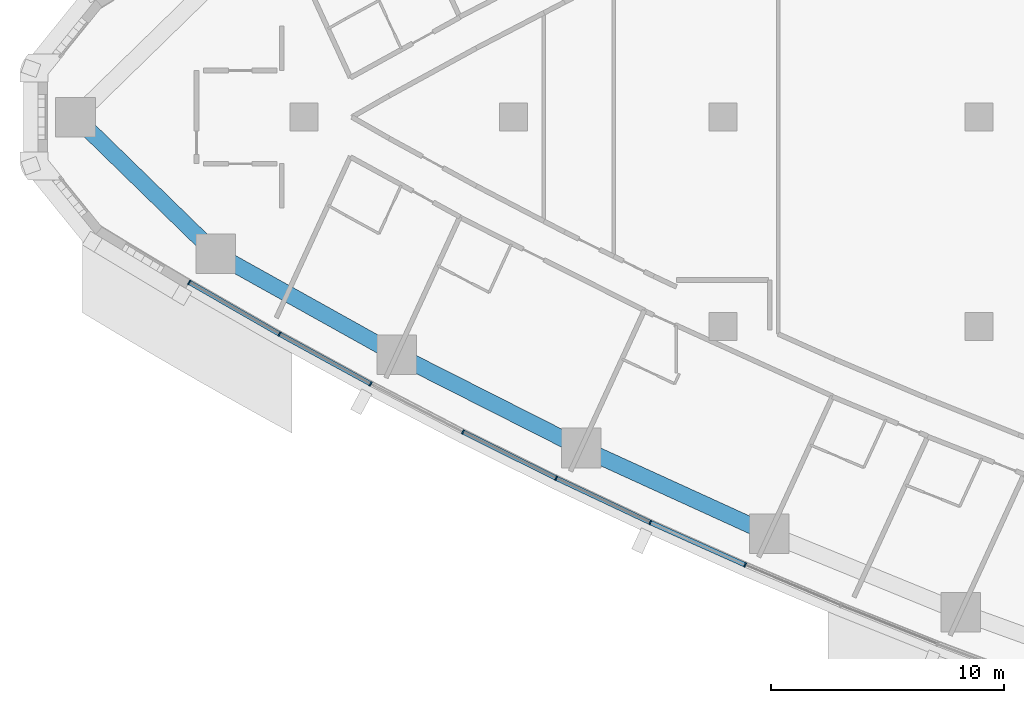
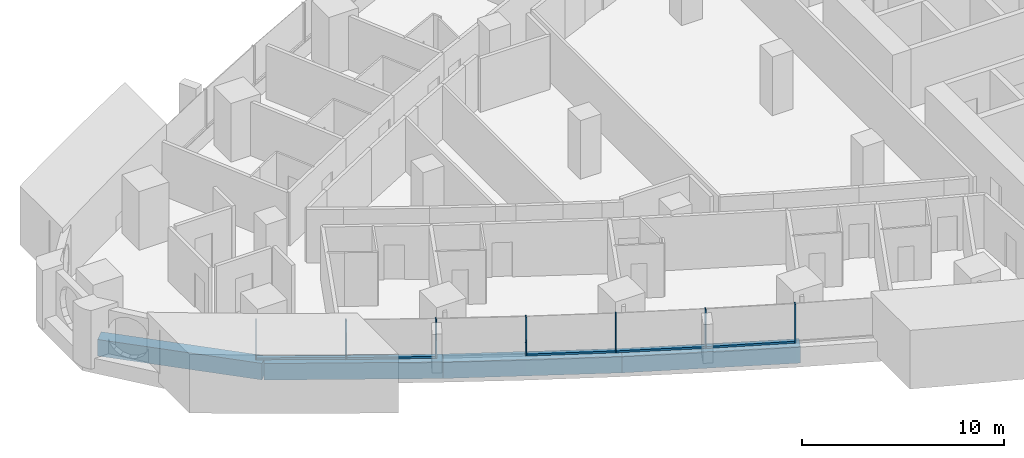
# One storey, part 2 of 17: 12 members, 4 beams, 3 elements without a shape of their own.
"""IFC4 building model written with IfcOpenShell, lengths in metres."""

from ifc_helpers import new_model, si_unit, direction, frame, origin, origin_2d, place, context, subcontext, project, spatial, rectangle, extrude, material, layer, layer_set, material_profile, profile_set, type_object, element, aggregate, save


model = new_model("IFC4")

# Units and contexts
model_context = context("Model", 3, precision=1e-05, world=origin(), true_north=direction((0.0, 1.0)))
body_context = subcontext(model_context, "Body", "Model", "MODEL_VIEW")
ifc_project = project(units=[si_unit("LENGTHUNIT", "METRE"), si_unit("AREAUNIT", "SQUARE_METRE"), si_unit("VOLUMEUNIT", "CUBIC_METRE"), si_unit("PLANEANGLEUNIT", "RADIAN"), si_unit("MASSUNIT", "GRAM", prefix="KILO")], contexts=[model_context])

# Site, building, storey
site_placement = place(None, origin())
site = spatial("IfcSite", under=ifc_project, at=site_placement, CompositionType="ELEMENT")
building_placement = place(site_placement, origin())
building = spatial("IfcBuilding", under=site, at=building_placement, Name="Ostrand Prow Hotel Tower", CompositionType="ELEMENT")
storey_placement = place(building_placement, frame((0.0, 0.0, 113.300048828125)))
storey = spatial("IfcBuildingStorey", under=building, at=storey_placement, Name="L27", CompositionType="ELEMENT", Elevation=113.300048828125)

# Beams
ifc_material_1 = material(Name="Concrete C80/95", Category="concrete")
ifc_material_profile_1 = material_profile(ifc_material_1, rectangle(XDim=0.699951171875, YDim=1.0, at=origin_2d()), Name="RC 700x1000")
ifc_profile_set_1 = profile_set([ifc_material_profile_1], Name="Concrete C80/95")
beam_type = type_object("IfcBeamType", Name="Edge beam 700x1000 C80/95", PredefinedType="SPANDREL", material=ifc_profile_set_1)
beam_1_placement = place(storey_placement, frame((6.193115234375, 0.0, -0.800048828125), z_axis=(0.716082759826, -0.698015387423, 0.0), x_axis=(0.698015387423, 0.716082759826, 0.0)))
element("IfcBeam", 1, at=beam_1_placement, inside=storey, type_object=beam_type, Name="Edge beam P-S1", PredefinedType="SPANDREL", context=body_context, shape_type="SweptSolid", body=[
    extrude(rectangle(XDim=0.699951171875, YDim=1.0, at=origin_2d()), origin(), (0.0, 0.0, 1.0), 8.41845703125),
])
beam_2_placement = place(storey_placement, frame((12.221435546875, -5.876220703125, -0.800048828125), z_axis=(0.873452439955, -0.486909473245, 0.0), x_axis=(0.486909473245, 0.873452439955, 0.0)))
element("IfcBeam", 2, at=beam_2_placement, inside=storey, type_object=beam_type, Name="Edge beam S1-S2", PredefinedType="SPANDREL", context=body_context, shape_type="SweptSolid", body=[
    extrude(rectangle(XDim=0.699951171875, YDim=1.0, at=origin_2d()), origin(), (0.0, 0.0, 1.0), 8.883544921875),
])
beam_3_placement = place(storey_placement, frame((19.980712890625, -10.20166015625, -0.800048828125), z_axis=(0.892284288592, -0.451473973039, 0.0), x_axis=(0.451473973039, 0.892284288592, 0.0)))
element("IfcBeam", 3, at=beam_3_placement, inside=storey, type_object=beam_type, Name="Edge beam S2-S3", PredefinedType="SPANDREL", context=body_context, shape_type="SweptSolid", body=[
    extrude(rectangle(XDim=0.699951171875, YDim=1.0, at=origin_2d()), origin(), (0.0, 0.0, 1.0), 8.883056640625),
])
beam_4_placement = place(storey_placement, frame((27.906982421875, -14.212158203125, -0.800048828125), z_axis=(0.909681006953, -0.415307675813, 0.0), x_axis=(0.415307675813, 0.909681006953, 0.0)))
element("IfcBeam", 4, at=beam_4_placement, inside=storey, type_object=beam_type, Name="Edge beam S3-S4", PredefinedType="SPANDREL", context=body_context, shape_type="SweptSolid", body=[
    extrude(rectangle(XDim=0.699951171875, YDim=1.0, at=origin_2d()), origin(), (0.0, 0.0, 1.0), 8.883544921875),
])

# Curtain wall, members
ifc_material_2 = material(Name="Insulated glass in bronze anodised frame", Category="glass")
ifc_layer = layer(ifc_material_2, 0.199951171875)
ifc_layer_set = layer_set([ifc_layer], Name="Insulated glass in bronze anodised frame")
curtain_wall_type = type_object("IfcCurtainWallType", Name="Strip curtain wall, fritted glass over bronze spandrel", PredefinedType="NOTDEFINED", material=ifc_layer_set)
curtain_wall_1_placement = place(storey_placement, origin())
curtain_wall_1 = element("IfcCurtainWall", 5, at=curtain_wall_1_placement, inside=storey, type_object=curtain_wall_type, Name="CW1 run CWS1", PredefinedType="NOTDEFINED")
ifc_material_3 = material(Name="Bronze anodised aluminium", Category="aluminium")
ifc_material_profile_2 = material_profile(ifc_material_3, rectangle(XDim=0.199951171875, YDim=0.06005859375, at=origin_2d()), Name="Mullion 60x200 bronze anodised aluminium")
ifc_profile_set_2 = profile_set([ifc_material_profile_2], Name="Bronze anodised aluminium")
member_type_1 = type_object("IfcMemberType", Name="Mullion 60x200 bronze anodised aluminium", PredefinedType="MULLION", material=ifc_profile_set_2)
member_1_placement = place(storey_placement, frame((11.076416015625, -7.099853515625, 0.89990234375), z_axis=(0.0, 0.0, 1.0), x_axis=(0.497114806368, 0.867684775301, 0.0)))
member_1 = element("IfcMember", 6, at=member_1_placement, type_object=member_type_1, Name="CW1 mullion 1", PredefinedType="MULLION", context=body_context, shape_type="SweptSolid", body=[
    extrude(rectangle(XDim=0.199951171875, YDim=0.06005859375, at=origin_2d()), origin(), (0.0, 0.0, 1.0), 2.35009765625),
])
member_2_placement = place(storey_placement, frame((14.951416015625, -9.320068359375, 0.89990234375), z_axis=(0.0, 0.0, 1.0), x_axis=(0.479637052103, 0.877466978439, 0.0)))
member_2 = element("IfcMember", 7, at=member_2_placement, type_object=member_type_1, Name="CW1 mullion 2", PredefinedType="MULLION", context=body_context, shape_type="SweptSolid", body=[
    extrude(rectangle(XDim=0.199951171875, YDim=0.06005859375, at=origin_2d()), origin(), (0.0, 0.0, 1.0), 2.35009765625),
])
member_3_placement = place(storey_placement, frame((18.870361328125, -11.4619140625, 0.89990234375), z_axis=(0.0, 0.0, 1.0), x_axis=(0.479637052103, 0.877466978439, 0.0)))
member_3 = element("IfcMember", 8, at=member_3_placement, type_object=member_type_1, Name="CW1 mullion 3", PredefinedType="MULLION", context=body_context, shape_type="SweptSolid", body=[
    extrude(rectangle(XDim=0.199951171875, YDim=0.06005859375, at=origin_2d()), origin(), (0.0, 0.0, 1.0), 2.35009765625),
])

curtain_wall_2_placement = place(storey_placement, origin())
curtain_wall_2 = element("IfcCurtainWall", 9, at=curtain_wall_2_placement, inside=storey, type_object=curtain_wall_type, Name="CW1 run CWS2", PredefinedType="NOTDEFINED")
member_4_placement = place(storey_placement, frame((22.831298828125, -13.525146484375, 0.89990234375), z_axis=(0.0, 0.0, 1.0), x_axis=(0.44411295748, 0.895970803653, 0.0)))
member_4 = element("IfcMember", 10, at=member_4_placement, type_object=member_type_1, Name="CW1 mullion 2", PredefinedType="MULLION", context=body_context, shape_type="SweptSolid", body=[
    extrude(rectangle(XDim=0.199951171875, YDim=0.06005859375, at=origin_2d()), origin(), (0.0, 0.0, 1.0), 2.35009765625),
])
member_5_placement = place(storey_placement, frame((26.83251953125, -15.508544921875, 0.89990234375), z_axis=(0.0, 0.0, 1.0), x_axis=(0.44411295748, 0.895970803653, 0.0)))
member_5 = element("IfcMember", 11, at=member_5_placement, type_object=member_type_1, Name="CW1 mullion 3", PredefinedType="MULLION", context=body_context, shape_type="SweptSolid", body=[
    extrude(rectangle(XDim=0.199951171875, YDim=0.06005859375, at=origin_2d()), origin(), (0.0, 0.0, 1.0), 2.35009765625),
])

curtain_wall_3_placement = place(storey_placement, origin())
curtain_wall_3 = element("IfcCurtainWall", 12, at=curtain_wall_3_placement, inside=storey, type_object=curtain_wall_type, Name="CW1 run CWS3", PredefinedType="NOTDEFINED")
member_6_placement = place(storey_placement, frame((30.872802734375, -17.41162109375, 0.89990234375), z_axis=(0.0, 0.0, 1.0), x_axis=(0.407874755419, 0.913037887435, 0.0)))
member_6 = element("IfcMember", 13, at=member_6_placement, type_object=member_type_1, Name="CW1 mullion 2", PredefinedType="MULLION", context=body_context, shape_type="SweptSolid", body=[
    extrude(rectangle(XDim=0.199951171875, YDim=0.06005859375, at=origin_2d()), origin(), (0.0, 0.0, 1.0), 2.35009765625),
])
member_7_placement = place(storey_placement, frame((34.95068359375, -19.233154296875, 0.89990234375), z_axis=(0.0, 0.0, 1.0), x_axis=(0.407874755419, 0.913037887435, 0.0)))
member_7 = element("IfcMember", 14, at=member_7_placement, type_object=member_type_1, Name="CW1 mullion 3", PredefinedType="MULLION", context=body_context, shape_type="SweptSolid", body=[
    extrude(rectangle(XDim=0.199951171875, YDim=0.06005859375, at=origin_2d()), origin(), (0.0, 0.0, 1.0), 2.35009765625),
])

# Member
ifc_material_4 = material(Name="Bronze anodised aluminium", Category="aluminium")
ifc_material_profile_3 = material_profile(ifc_material_4, rectangle(XDim=0.199951171875, YDim=0.1201171875, at=origin_2d()), Name="Transom 120x200 bronze anodised aluminium")
ifc_profile_set_3 = profile_set([ifc_material_profile_3], Name="Bronze anodised aluminium")
member_type_2 = type_object("IfcMemberType", Name="Transom 120x200 bronze anodised aluminium", PredefinedType="USERDEFINED", material=ifc_profile_set_3)
member_8_placement = place(storey_placement, frame((11.1025390625, -7.11474609375, 0.9599609375), z_axis=(0.86766970623, -0.497141107625, 0.0), x_axis=(0.497141107625, 0.86766970623, 0.0)))
member_8 = element("IfcMember", 15, at=member_8_placement, type_object=member_type_2, Name="CW1 transom 1.1", ObjectType="TRANSOM", PredefinedType="USERDEFINED", context=body_context, shape_type="SweptSolid", body=[
    extrude(rectangle(XDim=0.199951171875, YDim=0.1201171875, at=origin_2d()), origin(), (0.0, 0.0, 1.0), 4.406005859375),
])

member_9_placement = place(storey_placement, frame((14.977783203125, -9.33447265625, 0.9599609375), z_axis=(0.877471714137, -0.479628388328, 0.0), x_axis=(0.479628388328, 0.877471714137, 0.0)))
member_9 = element("IfcMember", 16, at=member_9_placement, type_object=member_type_2, Name="CW1 transom 2.1", ObjectType="TRANSOM", PredefinedType="USERDEFINED", context=body_context, shape_type="SweptSolid", body=[
    extrude(rectangle(XDim=0.199951171875, YDim=0.1201171875, at=origin_2d()), origin(), (0.0, 0.0, 1.0), 4.406005859375),
])

aggregate(curtain_wall_1, [member_1, member_2, member_3, member_8, member_9])

member_10_placement = place(storey_placement, frame((22.858154296875, -13.53857421875, 0.9599609375), z_axis=(0.895962348168, -0.444130015497, 0.0), x_axis=(0.444130015497, 0.895962348168, 0.0)))
member_10 = element("IfcMember", 17, at=member_10_placement, type_object=member_type_2, Name="CW1 transom 2.1", ObjectType="TRANSOM", PredefinedType="USERDEFINED", context=body_context, shape_type="SweptSolid", body=[
    extrude(rectangle(XDim=0.199951171875, YDim=0.1201171875, at=origin_2d()), origin(), (0.0, 0.0, 1.0), 4.406005859375),
])

aggregate(curtain_wall_2, [member_4, member_5, member_10])

member_11_placement = place(storey_placement, frame((26.859619140625, -15.521484375, 0.9599609375), z_axis=(0.904696854963, -0.42605586561, 0.0), x_axis=(0.42605586561, 0.904696854963, 0.0)))
member_11 = element("IfcMember", 18, at=member_11_placement, type_object=member_type_2, Name="CW1 transom 1.1", ObjectType="TRANSOM", PredefinedType="USERDEFINED", context=body_context, shape_type="SweptSolid", body=[
    extrude(rectangle(XDim=0.199951171875, YDim=0.1201171875, at=origin_2d()), origin(), (0.0, 0.0, 1.0), 4.406005859375),
])

member_12_placement = place(storey_placement, frame((30.900390625, -17.423583984375, 0.9599609375), z_axis=(0.913030665163, -0.407890922271, 0.0), x_axis=(0.407890922271, 0.913030665163, 0.0)))
member_12 = element("IfcMember", 19, at=member_12_placement, type_object=member_type_2, Name="CW1 transom 2.1", ObjectType="TRANSOM", PredefinedType="USERDEFINED", context=body_context, shape_type="SweptSolid", body=[
    extrude(rectangle(XDim=0.199951171875, YDim=0.1201171875, at=origin_2d()), origin(), (0.0, 0.0, 1.0), 4.40576171875),
])

aggregate(curtain_wall_3, [member_6, member_7, member_11, member_12])

save(model, "model.ifc")
